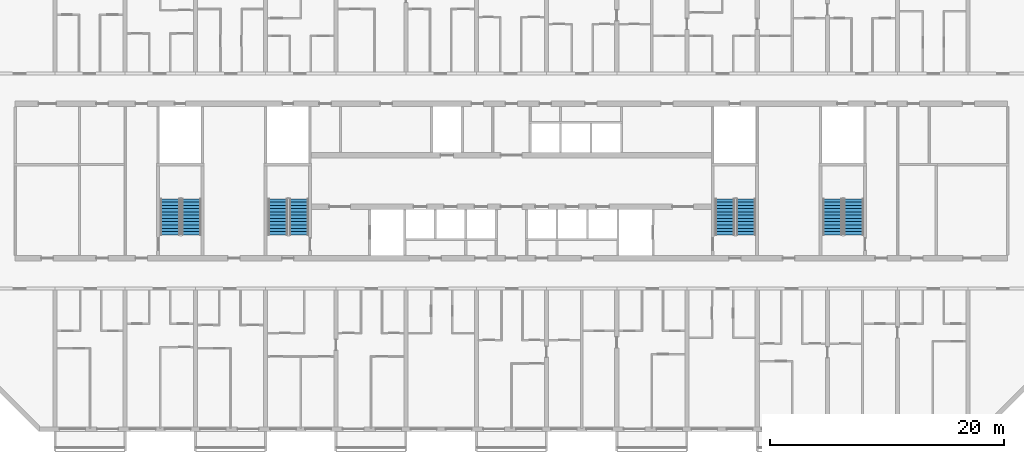
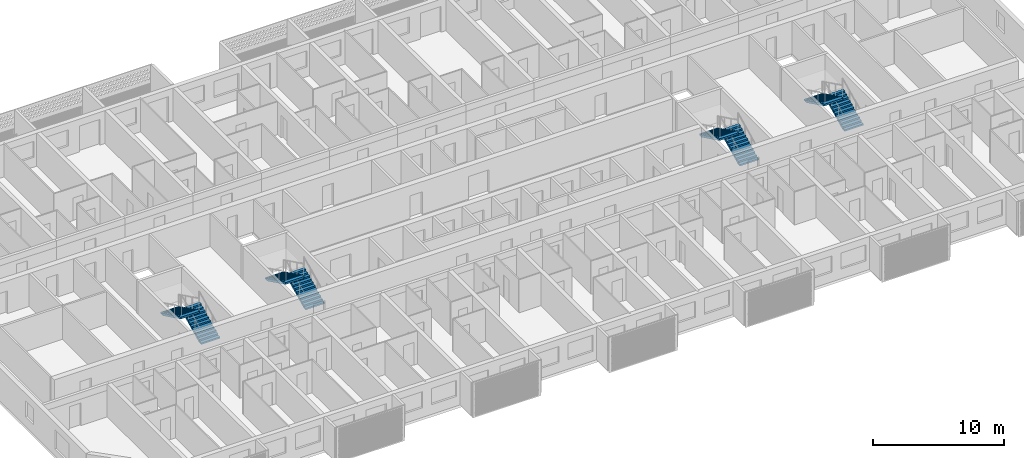
# One storey, part 16 of 26: 8 stair flights, 4 elements without a shape of their own.
"""IFC4 building model written with IfcOpenShell, lengths in metres."""

from ifc_helpers import new_model, si_unit, direction, frame, origin, place, context, subcontext, project, spatial, polyline, outline, extrude, material, layer, layer_set, type_object, element, aggregate, save


model = new_model("IFC4")

# Units and contexts
model_context = context("Model", 3, precision=1e-05, world=origin(), true_north=direction((0.0, 1.0)))
body_context = subcontext(model_context, "Body", "Model", "MODEL_VIEW")
ifc_project = project(units=[si_unit("LENGTHUNIT", "METRE"), si_unit("AREAUNIT", "SQUARE_METRE"), si_unit("VOLUMEUNIT", "CUBIC_METRE"), si_unit("PLANEANGLEUNIT", "RADIAN"), si_unit("MASSUNIT", "GRAM", prefix="KILO")], contexts=[model_context])

# Site, building, storey
site_placement = place(None, origin())
site = spatial("IfcSite", under=ifc_project, at=site_placement, CompositionType="ELEMENT")
building_placement = place(site_placement, origin())
building = spatial("IfcBuilding", under=site, at=building_placement, Name="Poui Terraces", CompositionType="ELEMENT")
storey_placement = place(building_placement, frame((0.0, 0.0, 79.5)))
storey = spatial("IfcBuildingStorey", under=building, at=storey_placement, Name="L21", CompositionType="ELEMENT", Elevation=79.5)

# Stair, stair flights
ifc_material = material(Name="Concrete 65 MPa", Category="concrete")
stair_type = type_object("IfcStairType", Name="EXIT STAIR 1650 65 MPA", PredefinedType="HALF_TURN_STAIR", material=ifc_material)
stair_1_placement = place(storey_placement, origin())
stair_1 = element("IfcStair", 1, at=stair_1_placement, inside=storey, type_object=stair_type, Name="L21 CORE STAIR EAST", PredefinedType="HALF_TURN_STAIR")
ifc_layer = layer(ifc_material, 0.14990234375)
ifc_layer_set = layer_set([ifc_layer], Name="Concrete 65 MPa")
stair_flight_type = type_object("IfcStairFlightType", Name="STAIR FLIGHT 12 RISERS 138 RISE 65 MPA", PredefinedType="STRAIGHT", material=ifc_layer_set)
stair_flight_1_placement = place(storey_placement, frame((71.050048828125, 16.60009765625, 0.0), z_axis=(0.0, 0.0, 1.0), x_axis=(0.0, 1.0, 0.0)))
stair_flight_1 = element("IfcStairFlight", 2, at=stair_flight_1_placement, type_object=stair_flight_type, Name="ST-CE flight 1", NumberOfRisers=12, NumberOfTreads=11, PredefinedType="STRAIGHT", RiserHeight=0.1375, TreadLength=0.28, context=body_context, shape_type="SweptSolid", body=[
    extrude(outline(polyline([(0.0, 0.0), (0.0, 0.137451171875), (0.280029296875, 0.137451171875), (0.280029296875, 0.27490234375), (0.56005859375, 0.27490234375), (0.56005859375, 0.41259765625), (0.840087890625, 0.41259765625), (0.840087890625, 0.550048828125), (1.1201171875, 0.550048828125), (1.1201171875, 0.6875), (1.39990234375, 0.6875), (1.39990234375, 0.824951171875), (1.679931640625, 0.824951171875), (1.679931640625, 0.96240234375), (1.9599609375, 0.96240234375), (1.9599609375, 1.10009765625), (2.239990234375, 1.10009765625), (2.239990234375, 1.237548828125), (2.52001953125, 1.237548828125), (2.52001953125, 1.375), (2.800048828125, 1.375), (2.800048828125, 1.512451171875), (3.080078125, 1.512451171875), (3.080078125, 1.64990234375), (3.080078125, 1.345458984375), (0.340087890625, 0.0), (0.0, 0.0)])), frame((0.0, 0.824951171875, 0.0), z_axis=(0.0, -1.0, 0.0), x_axis=(1.0, 0.0, 0.0)), (0.0, 0.0, 1.0), 1.64990234375),
])
stair_flight_2_placement = place(storey_placement, frame((69.25, 19.679931640625, 1.64990234375), z_axis=(0.0, 0.0, 1.0), x_axis=(0.0, -1.0, 0.0)))
stair_flight_2 = element("IfcStairFlight", 3, at=stair_flight_2_placement, type_object=stair_flight_type, Name="ST-CE flight 2", NumberOfRisers=12, NumberOfTreads=11, PredefinedType="STRAIGHT", RiserHeight=0.1375, TreadLength=0.28, context=body_context, shape_type="SweptSolid", body=[
    extrude(outline(polyline([(0.0, 0.0), (0.0, 0.137451171875), (0.280029296875, 0.137451171875), (0.280029296875, 0.27490234375), (0.56005859375, 0.27490234375), (0.56005859375, 0.41259765625), (0.840087890625, 0.41259765625), (0.840087890625, 0.550048828125), (1.1201171875, 0.550048828125), (1.1201171875, 0.6875), (1.39990234375, 0.6875), (1.39990234375, 0.824951171875), (1.679931640625, 0.824951171875), (1.679931640625, 0.96240234375), (1.9599609375, 0.96240234375), (1.9599609375, 1.10009765625), (2.239990234375, 1.10009765625), (2.239990234375, 1.237548828125), (2.52001953125, 1.237548828125), (2.52001953125, 1.375), (2.800048828125, 1.375), (2.800048828125, 1.512451171875), (3.080078125, 1.512451171875), (3.080078125, 1.64990234375), (3.080078125, 1.345458984375), (0.340087890625, 0.0), (0.0, 0.0)])), frame((0.0, 0.824951171875, 0.0), z_axis=(0.0, -1.0, 0.0), x_axis=(1.0, 0.0, 0.0)), (0.0, 0.0, 1.0), 1.64990234375),
])
aggregate(stair_1, [stair_flight_1, stair_flight_2])

stair_2_placement = place(storey_placement, origin())
stair_2 = element("IfcStair", 4, at=stair_2_placement, inside=storey, type_object=stair_type, Name="L21 CORE STAIR WEST", PredefinedType="HALF_TURN_STAIR")
stair_flight_3_placement = place(storey_placement, frame((32.85009765625, 16.60009765625, 0.0), z_axis=(0.0, 0.0, 1.0), x_axis=(0.0, 1.0, 0.0)))
stair_flight_3 = element("IfcStairFlight", 5, at=stair_flight_3_placement, type_object=stair_flight_type, Name="ST-CW flight 1", NumberOfRisers=12, NumberOfTreads=11, PredefinedType="STRAIGHT", RiserHeight=0.1375, TreadLength=0.28, context=body_context, shape_type="SweptSolid", body=[
    extrude(outline(polyline([(0.0, 0.0), (0.0, 0.137451171875), (0.280029296875, 0.137451171875), (0.280029296875, 0.27490234375), (0.56005859375, 0.27490234375), (0.56005859375, 0.41259765625), (0.840087890625, 0.41259765625), (0.840087890625, 0.550048828125), (1.1201171875, 0.550048828125), (1.1201171875, 0.6875), (1.39990234375, 0.6875), (1.39990234375, 0.824951171875), (1.679931640625, 0.824951171875), (1.679931640625, 0.96240234375), (1.9599609375, 0.96240234375), (1.9599609375, 1.10009765625), (2.239990234375, 1.10009765625), (2.239990234375, 1.237548828125), (2.52001953125, 1.237548828125), (2.52001953125, 1.375), (2.800048828125, 1.375), (2.800048828125, 1.512451171875), (3.080078125, 1.512451171875), (3.080078125, 1.64990234375), (3.080078125, 1.345458984375), (0.340087890625, 0.0), (0.0, 0.0)])), frame((0.0, 0.824951171875, 0.0), z_axis=(0.0, -1.0, 0.0), x_axis=(1.0, 0.0, 0.0)), (0.0, 0.0, 1.0), 1.64990234375),
])
stair_flight_4_placement = place(storey_placement, frame((31.050048828125, 19.679931640625, 1.64990234375), z_axis=(0.0, 0.0, 1.0), x_axis=(0.0, -1.0, 0.0)))
stair_flight_4 = element("IfcStairFlight", 6, at=stair_flight_4_placement, type_object=stair_flight_type, Name="ST-CW flight 2", NumberOfRisers=12, NumberOfTreads=11, PredefinedType="STRAIGHT", RiserHeight=0.1375, TreadLength=0.28, context=body_context, shape_type="SweptSolid", body=[
    extrude(outline(polyline([(0.0, 0.0), (0.0, 0.137451171875), (0.280029296875, 0.137451171875), (0.280029296875, 0.27490234375), (0.56005859375, 0.27490234375), (0.56005859375, 0.41259765625), (0.840087890625, 0.41259765625), (0.840087890625, 0.550048828125), (1.1201171875, 0.550048828125), (1.1201171875, 0.6875), (1.39990234375, 0.6875), (1.39990234375, 0.824951171875), (1.679931640625, 0.824951171875), (1.679931640625, 0.96240234375), (1.9599609375, 0.96240234375), (1.9599609375, 1.10009765625), (2.239990234375, 1.10009765625), (2.239990234375, 1.237548828125), (2.52001953125, 1.237548828125), (2.52001953125, 1.375), (2.800048828125, 1.375), (2.800048828125, 1.512451171875), (3.080078125, 1.512451171875), (3.080078125, 1.64990234375), (3.080078125, 1.345458984375), (0.340087890625, 0.0), (0.0, 0.0)])), frame((0.0, 0.824951171875, 0.0), z_axis=(0.0, -1.0, 0.0), x_axis=(1.0, 0.0, 0.0)), (0.0, 0.0, 1.0), 1.64990234375),
])
aggregate(stair_2, [stair_flight_3, stair_flight_4])

stair_3_placement = place(storey_placement, origin())
stair_3 = element("IfcStair", 7, at=stair_3_placement, inside=storey, type_object=stair_type, Name="L21 TIP STAIR EAST", PredefinedType="HALF_TURN_STAIR")
stair_flight_5_placement = place(storey_placement, frame((80.25, 16.60009765625, 0.0), z_axis=(0.0, 0.0, 1.0), x_axis=(0.0, 1.0, 0.0)))
stair_flight_5 = element("IfcStairFlight", 8, at=stair_flight_5_placement, type_object=stair_flight_type, Name="ST-E flight 1", NumberOfRisers=12, NumberOfTreads=11, PredefinedType="STRAIGHT", RiserHeight=0.1375, TreadLength=0.28, context=body_context, shape_type="SweptSolid", body=[
    extrude(outline(polyline([(0.0, 0.0), (0.0, 0.137451171875), (0.280029296875, 0.137451171875), (0.280029296875, 0.27490234375), (0.56005859375, 0.27490234375), (0.56005859375, 0.41259765625), (0.840087890625, 0.41259765625), (0.840087890625, 0.550048828125), (1.1201171875, 0.550048828125), (1.1201171875, 0.6875), (1.39990234375, 0.6875), (1.39990234375, 0.824951171875), (1.679931640625, 0.824951171875), (1.679931640625, 0.96240234375), (1.9599609375, 0.96240234375), (1.9599609375, 1.10009765625), (2.239990234375, 1.10009765625), (2.239990234375, 1.237548828125), (2.52001953125, 1.237548828125), (2.52001953125, 1.375), (2.800048828125, 1.375), (2.800048828125, 1.512451171875), (3.080078125, 1.512451171875), (3.080078125, 1.64990234375), (3.080078125, 1.345458984375), (0.340087890625, 0.0), (0.0, 0.0)])), frame((0.0, 0.824951171875, 0.0), z_axis=(0.0, -1.0, 0.0), x_axis=(1.0, 0.0, 0.0)), (0.0, 0.0, 1.0), 1.64990234375),
])
stair_flight_6_placement = place(storey_placement, frame((78.449951171875, 19.679931640625, 1.64990234375), z_axis=(0.0, 0.0, 1.0), x_axis=(0.0, -1.0, 0.0)))
stair_flight_6 = element("IfcStairFlight", 9, at=stair_flight_6_placement, type_object=stair_flight_type, Name="ST-E flight 2", NumberOfRisers=12, NumberOfTreads=11, PredefinedType="STRAIGHT", RiserHeight=0.1375, TreadLength=0.28, context=body_context, shape_type="SweptSolid", body=[
    extrude(outline(polyline([(0.0, 0.0), (0.0, 0.137451171875), (0.280029296875, 0.137451171875), (0.280029296875, 0.27490234375), (0.56005859375, 0.27490234375), (0.56005859375, 0.41259765625), (0.840087890625, 0.41259765625), (0.840087890625, 0.550048828125), (1.1201171875, 0.550048828125), (1.1201171875, 0.6875), (1.39990234375, 0.6875), (1.39990234375, 0.824951171875), (1.679931640625, 0.824951171875), (1.679931640625, 0.96240234375), (1.9599609375, 0.96240234375), (1.9599609375, 1.10009765625), (2.239990234375, 1.10009765625), (2.239990234375, 1.237548828125), (2.52001953125, 1.237548828125), (2.52001953125, 1.375), (2.800048828125, 1.375), (2.800048828125, 1.512451171875), (3.080078125, 1.512451171875), (3.080078125, 1.64990234375), (3.080078125, 1.345458984375), (0.340087890625, 0.0), (0.0, 0.0)])), frame((0.0, 0.824951171875, 0.0), z_axis=(0.0, -1.0, 0.0), x_axis=(1.0, 0.0, 0.0)), (0.0, 0.0, 1.0), 1.64990234375),
])
aggregate(stair_3, [stair_flight_5, stair_flight_6])

stair_4_placement = place(storey_placement, origin())
stair_4 = element("IfcStair", 10, at=stair_4_placement, inside=storey, type_object=stair_type, Name="L21 TIP STAIR WEST", PredefinedType="HALF_TURN_STAIR")
stair_flight_7_placement = place(storey_placement, frame((23.64990234375, 16.60009765625, 0.0), z_axis=(0.0, 0.0, 1.0), x_axis=(0.0, 1.0, 0.0)))
stair_flight_7 = element("IfcStairFlight", 11, at=stair_flight_7_placement, type_object=stair_flight_type, Name="ST-W flight 1", NumberOfRisers=12, NumberOfTreads=11, PredefinedType="STRAIGHT", RiserHeight=0.1375, TreadLength=0.28, context=body_context, shape_type="SweptSolid", body=[
    extrude(outline(polyline([(0.0, 0.0), (0.0, 0.137451171875), (0.280029296875, 0.137451171875), (0.280029296875, 0.27490234375), (0.56005859375, 0.27490234375), (0.56005859375, 0.41259765625), (0.840087890625, 0.41259765625), (0.840087890625, 0.550048828125), (1.1201171875, 0.550048828125), (1.1201171875, 0.6875), (1.39990234375, 0.6875), (1.39990234375, 0.824951171875), (1.679931640625, 0.824951171875), (1.679931640625, 0.96240234375), (1.9599609375, 0.96240234375), (1.9599609375, 1.10009765625), (2.239990234375, 1.10009765625), (2.239990234375, 1.237548828125), (2.52001953125, 1.237548828125), (2.52001953125, 1.375), (2.800048828125, 1.375), (2.800048828125, 1.512451171875), (3.080078125, 1.512451171875), (3.080078125, 1.64990234375), (3.080078125, 1.345458984375), (0.340087890625, 0.0), (0.0, 0.0)])), frame((0.0, 0.824951171875, 0.0), z_axis=(0.0, -1.0, 0.0), x_axis=(1.0, 0.0, 0.0)), (0.0, 0.0, 1.0), 1.64990234375),
])
stair_flight_8_placement = place(storey_placement, frame((21.85009765625, 19.679931640625, 1.64990234375), z_axis=(0.0, 0.0, 1.0), x_axis=(0.0, -1.0, 0.0)))
stair_flight_8 = element("IfcStairFlight", 12, at=stair_flight_8_placement, type_object=stair_flight_type, Name="ST-W flight 2", NumberOfRisers=12, NumberOfTreads=11, PredefinedType="STRAIGHT", RiserHeight=0.1375, TreadLength=0.28, context=body_context, shape_type="SweptSolid", body=[
    extrude(outline(polyline([(0.0, 0.0), (0.0, 0.137451171875), (0.280029296875, 0.137451171875), (0.280029296875, 0.27490234375), (0.56005859375, 0.27490234375), (0.56005859375, 0.41259765625), (0.840087890625, 0.41259765625), (0.840087890625, 0.550048828125), (1.1201171875, 0.550048828125), (1.1201171875, 0.6875), (1.39990234375, 0.6875), (1.39990234375, 0.824951171875), (1.679931640625, 0.824951171875), (1.679931640625, 0.96240234375), (1.9599609375, 0.96240234375), (1.9599609375, 1.10009765625), (2.239990234375, 1.10009765625), (2.239990234375, 1.237548828125), (2.52001953125, 1.237548828125), (2.52001953125, 1.375), (2.800048828125, 1.375), (2.800048828125, 1.512451171875), (3.080078125, 1.512451171875), (3.080078125, 1.64990234375), (3.080078125, 1.345458984375), (0.340087890625, 0.0), (0.0, 0.0)])), frame((0.0, 0.824951171875, 0.0), z_axis=(0.0, -1.0, 0.0), x_axis=(1.0, 0.0, 0.0)), (0.0, 0.0, 1.0), 1.64990234375),
])
aggregate(stair_4, [stair_flight_7, stair_flight_8])

save(model, "model.ifc")
